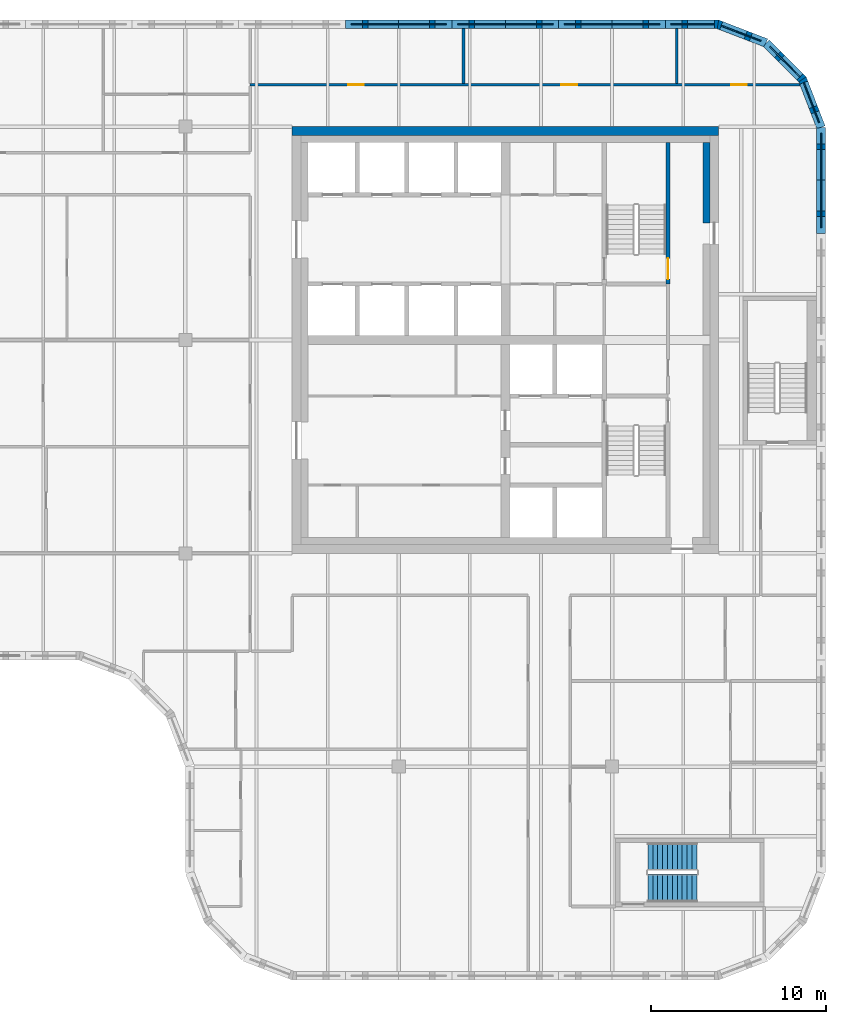
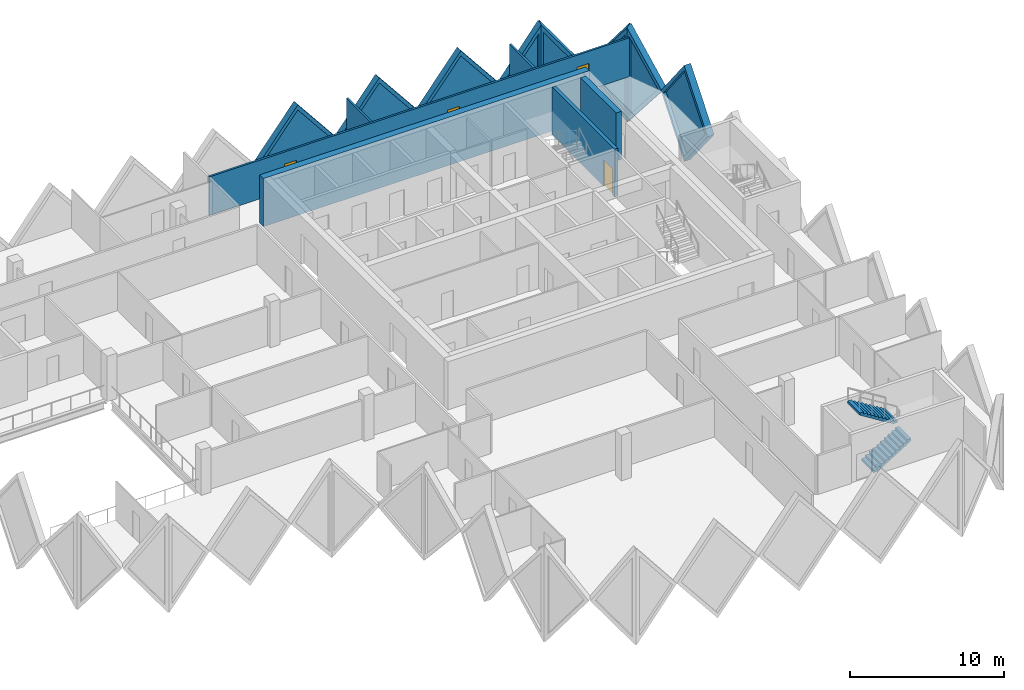
# One storey, part 10 of 12: 14 walls, 8 plates, 4 doors, 2 stair flights, 12 openings, 1 element without a shape of its own.
"""IFC4 building model written with IfcOpenShell, lengths in metres."""

from ifc_helpers import new_model, si_unit, direction, frame, frame_2d, origin, place, context, subcontext, project, spatial, polyline, rectangle, outline, extrude, faceted_brep, source, transform, mapped, material, layer, layer_set, type_object, element, fill, aggregate, save


model = new_model("IFC4")

# Units and contexts
model_context = context("Model", 3, precision=1e-05, world=origin(), true_north=direction((0.0, 1.0)))
body_context = subcontext(model_context, "Body", "Model", "MODEL_VIEW")
ifc_project = project(units=[si_unit("LENGTHUNIT", "METRE"), si_unit("AREAUNIT", "SQUARE_METRE"), si_unit("VOLUMEUNIT", "CUBIC_METRE"), si_unit("PLANEANGLEUNIT", "RADIAN"), si_unit("MASSUNIT", "GRAM", prefix="KILO")], contexts=[model_context])

# Site, building, storey
site_placement = place(None, origin())
site = spatial("IfcSite", under=ifc_project, at=site_placement, CompositionType="ELEMENT")
building_placement = place(site_placement, origin())
building = spatial("IfcBuilding", under=site, at=building_placement, Name="Tessera Gate Towers", CompositionType="ELEMENT")
storey_placement = place(building_placement, frame((0.0, 0.0, 213.10009765625)))
storey = spatial("IfcBuildingStorey", under=building, at=storey_placement, Name="L53", CompositionType="ELEMENT", Elevation=213.10009765625)

# Wall, opening, door
ifc_material_1 = material(Name="Concrete C40/50", Category="concrete")
ifc_layer_1 = layer(ifc_material_1, 0.25)
ifc_layer_set_1 = layer_set([ifc_layer_1], Name="CORE ENCLOSURE WALL 250")
wall_type_1 = type_object("IfcWallType", Name="CORE ENCLOSURE WALL 250", PredefinedType="SOLIDWALL", material=ifc_layer_set_1)
wall_1_placement = place(storey_placement, frame((52.0, 39.800048828125, 0.0), z_axis=(0.0, 0.0, 1.0), x_axis=(0.0, 1.0, 0.0)))
wall_1 = element("IfcWall", 1, at=wall_1_placement, inside=storey, type_object=wall_type_1, Name="L53 shaft and stair enclosure wall", PredefinedType="SOLIDWALL", context=body_context, shape_type="SweptSolid", body=[
    extrude(rectangle(XDim=8.099853515625, YDim=0.25, at=frame_2d((4.0498046875, 0.0))), origin(), (0.0, 0.0, 1.0), 3.7998046875),
])
shared_shape_1 = source(origin(), body_context, "Body", "SweptSolid", [
    extrude(rectangle(XDim=1.199951171875, YDim=2.10009765625, at=frame_2d((0.60009765625, 1.050048828125))), frame((0.0, 0.135009765625, 0.0), z_axis=(0.0, -1.0, 0.0), x_axis=(1.0, 0.0, 0.0)), (0.0, 0.0, 1.0), 0.27001953125),
])
opening_1_placement = place(wall_1_placement, frame((0.27490234375, 0.0, 0.0)))
opening_1 = element("IfcOpeningElement", 2, at=opening_1_placement, cuts=wall_1, Name="Opening SD-ST2-2", PredefinedType="OPENING", context=body_context, shape_type="MappedRepresentation", body=[
    mapped(shared_shape_1, transform((0.0, 0.0, 0.0), scale=1.0)),
])
ifc_material_2 = material(Name="Hollow steel fire door", Category="steel")
door_type_1 = type_object("IfcDoorType", Name="CORE DOOR SD 1200x2100", OperationType="NOTDEFINED", PredefinedType="DOOR", material=ifc_material_2)
shared_shape_2 = source(origin(), body_context, "Body", "SweptSolid", [
    extrude(rectangle(XDim=1.199951171875, YDim=2.10009765625, at=frame_2d((0.60009765625, 1.050048828125))), frame((0.0, 0.02490234375, 0.0), z_axis=(0.0, -1.0, 0.0), x_axis=(1.0, 0.0, 0.0)), (0.0, 0.0, 1.0), 0.050048828125),
])
door_1_placement = place(opening_1_placement, origin())
door_1 = element("IfcDoor", 3, at=door_1_placement, inside=storey, type_object=door_type_1, Name="Stair door", OperationType="SINGLE_SWING_LEFT", OverallHeight=2.10009765625, OverallWidth=1.199951171875, PredefinedType="DOOR", context=body_context, shape_type="MappedRepresentation", body=[
    mapped(shared_shape_2, transform((0.0, 0.0, 0.0), scale=1.0)),
])
fill(opening_1, door_1)

# Walls
ifc_material_3 = material(Name="Concrete C50/60", Category="concrete")
ifc_layer_2 = layer(ifc_material_3, 0.5)
ifc_layer_set_2 = layer_set([ifc_layer_2], Name="CORE SHEAR WALL 500 C50/60")
wall_type_2 = type_object("IfcWallType", Name="CORE SHEAR WALL 500 C50/60", PredefinedType="SHEAR", material=ifc_layer_set_2)
wall_2_placement = place(storey_placement, frame((30.5, 48.550048828125, 0.0), z_axis=(0.0, 0.0, 1.0), x_axis=(1.0, 0.0, 0.0)))
element("IfcWall", 4, at=wall_2_placement, inside=storey, type_object=wall_type_2, Name="Core wall N L53", PredefinedType="SHEAR", context=body_context, shape_type="SweptSolid", body=[
    extrude(rectangle(XDim=24.39990234375, YDim=0.5, at=frame_2d((12.199951171875, 0.0))), origin(), (0.0, 0.0, 1.0), 3.7998046875),
])
ifc_material_4 = material(Name="Concrete C50/60", Category="concrete")
ifc_layer_3 = layer(ifc_material_4, 0.39990234375)
ifc_layer_set_3 = layer_set([ifc_layer_3], Name="CORE WALL THICKENING 400")
wall_type_3 = type_object("IfcWallType", Name="CORE WALL THICKENING 400", PredefinedType="SOLIDWALL", material=ifc_layer_set_3)
wall_3_placement = place(storey_placement, frame((54.199951171875, 43.300048828125, 0.0), z_axis=(0.0, 0.0, 1.0), x_axis=(0.0, 1.0, 0.0)))
element("IfcWall", 5, at=wall_3_placement, inside=storey, type_object=wall_type_3, Name="Core wall thickening E L53", PredefinedType="SOLIDWALL", context=body_context, shape_type="SweptSolid", body=[
    extrude(rectangle(XDim=4.599853515625, YDim=0.39990234375, at=frame_2d((2.2998046875, 0.0))), origin(), (0.0, 0.0, 1.0), 3.7998046875),
])

# Wall, openings, doors
ifc_material_5 = material(Name="Gypsum board on steel studs, mineral wool", Category="steel")
ifc_layer_4 = layer(ifc_material_5, 0.14990234375)
ifc_layer_set_4 = layer_set([ifc_layer_4], Name="CORRIDOR WALL 150")
wall_type_4 = type_object("IfcWallType", Name="CORRIDOR WALL 150", PredefinedType="PARTITIONING", material=ifc_layer_set_4)
wall_4_placement = place(storey_placement, frame((28.10009765625, 51.199951171875, 0.0), z_axis=(0.0, 0.0, 1.0), x_axis=(1.0, 0.0, 0.0)))
wall_4 = element("IfcWall", 6, at=wall_4_placement, inside=storey, type_object=wall_type_4, Name="T1-L53-PW-053", PredefinedType="PARTITIONING", context=body_context, shape_type="SweptSolid", body=[
    extrude(rectangle(XDim=31.438232421875, YDim=0.14990234375, at=frame_2d((15.71923828125, 0.0))), origin(), (0.0, 0.0, 1.0), 3.06689453125),
])
shared_shape_3 = source(origin(), body_context, "Body", "SweptSolid", [
    extrude(rectangle(XDim=0.89990234375, YDim=2.10009765625, at=frame_2d((0.449951171875, 1.050048828125))), frame((0.0, 0.0849609375, 0.0), z_axis=(0.0, -1.0, 0.0), x_axis=(1.0, 0.0, 0.0)), (0.0, 0.0, 1.0), 0.169921875),
])
opening_2_placement = place(wall_4_placement, frame((27.5009765625, 0.0, 0.0)))
opening_2 = element("IfcOpeningElement", 7, at=opening_2_placement, cuts=wall_4, Name="Opening D890FD60-A19-03", PredefinedType="OPENING", context=body_context, shape_type="MappedRepresentation", body=[
    mapped(shared_shape_3, transform((0.0, 0.0, 0.0), scale=1.0)),
])
opening_3_placement = place(wall_4_placement, frame((5.60009765625, 0.0, 0.0)))
opening_3 = element("IfcOpeningElement", 8, at=opening_3_placement, cuts=wall_4, Name="Opening D890FD60-A19-09", PredefinedType="OPENING", context=body_context, shape_type="MappedRepresentation", body=[
    mapped(shared_shape_3, transform((0.0, 0.0, 0.0), scale=1.0)),
])
opening_4_placement = place(wall_4_placement, frame((17.800048828125, 0.0, 0.0)))
opening_4 = element("IfcOpeningElement", 9, at=opening_4_placement, cuts=wall_4, Name="Opening D890FD60-A19-10", PredefinedType="OPENING", context=body_context, shape_type="MappedRepresentation", body=[
    mapped(shared_shape_3, transform((0.0, 0.0, 0.0), scale=1.0)),
])
ifc_material_6 = material(Name="Timber door leaf in steel frame", Category="steel")
door_type_2 = type_object("IfcDoorType", Name="CORRIDOR DOOR 900 FD60", OperationType="NOTDEFINED", PredefinedType="DOOR", material=ifc_material_6)
shared_shape_4 = source(origin(), body_context, "Body", "SweptSolid", [
    extrude(rectangle(XDim=0.89990234375, YDim=2.10009765625, at=frame_2d((0.449951171875, 1.050048828125))), frame((0.0, 0.02490234375, 0.0), z_axis=(0.0, -1.0, 0.0), x_axis=(1.0, 0.0, 0.0)), (0.0, 0.0, 1.0), 0.050048828125),
])
door_2_placement = place(opening_2_placement, origin())
door_2 = element("IfcDoor", 10, at=door_2_placement, inside=storey, type_object=door_type_2, Name="T1-L53-PD-016", OperationType="SINGLE_SWING_LEFT", OverallHeight=2.10009765625, OverallWidth=0.89990234375, PredefinedType="DOOR", context=body_context, shape_type="MappedRepresentation", body=[
    mapped(shared_shape_4, transform((0.0, 0.0, 0.0), scale=1.0)),
])
fill(opening_2, door_2)
door_3_placement = place(opening_3_placement, origin())
door_3 = element("IfcDoor", 11, at=door_3_placement, inside=storey, type_object=door_type_2, Name="T1-L53-PD-024", OperationType="SINGLE_SWING_LEFT", OverallHeight=2.10009765625, OverallWidth=0.89990234375, PredefinedType="DOOR", context=body_context, shape_type="MappedRepresentation", body=[
    mapped(shared_shape_4, transform((0.0, 0.0, 0.0), scale=1.0)),
])
fill(opening_3, door_3)
door_4_placement = place(opening_4_placement, origin())
door_4 = element("IfcDoor", 12, at=door_4_placement, inside=storey, type_object=door_type_2, Name="T1-L53-PD-026", OperationType="SINGLE_SWING_LEFT", OverallHeight=2.10009765625, OverallWidth=0.89990234375, PredefinedType="DOOR", context=body_context, shape_type="MappedRepresentation", body=[
    mapped(shared_shape_4, transform((0.0, 0.0, 0.0), scale=1.0)),
])
fill(opening_4, door_4)

# Walls
ifc_material_7 = material(Name="Gypsum board on steel studs, mineral wool", Category="steel")
ifc_layer_5 = layer(ifc_material_7, 0.14990234375)
ifc_layer_set_5 = layer_set([ifc_layer_5], Name="TENANCY WALL 150")
wall_type_5 = type_object("IfcWallType", Name="TENANCY WALL 150", PredefinedType="PARTITIONING", material=ifc_layer_set_5)
for number, where, z_axis, x_axis, name in (
    (13, (40.300048828125, 51.27587890625, 0.0), (0.0, 0.0, 1.0), (0.0, 1.0, 0.0), "T1-L53-PW-055"),
    (14, (52.5, 51.27587890625, 0.0), (0.0, 0.0, 1.0), (0.0, 1.0, 0.0), "T1-L53-PW-056"),
):
    element("IfcWall", number, at=place(storey_placement, frame(where, z_axis=z_axis, x_axis=x_axis)), inside=storey, type_object=wall_type_5, Name=name, PredefinedType="PARTITIONING", context=body_context, shape_type="SweptSolid", body=[
        extrude(rectangle(XDim=3.1240234375, YDim=0.14990234375, at=frame_2d((1.56201171875, 0.0))), origin(), (0.0, 0.0, 1.0), 3.06689453125),
    ])

# Wall, opening, plate
ifc_material_8 = material(Name="Precast concrete C60/75 white", Category="concrete")
ifc_layer_6 = layer(ifc_material_8, 0.5)
ifc_layer_set_6 = layer_set([ifc_layer_6], Name="TS1 tessera")
wall_type_6 = type_object("IfcWallType", Name="TS1 tessera", PredefinedType="SOLIDWALL", material=ifc_layer_set_6)
shared_shape_5 = source(origin(), body_context, "Body", "Brep", [
    faceted_brep([(3.050048828125, -0.25, 0.0), (6.099853515625, -0.25, 3.7998046875), (6.099853515625, -0.25, 3.80029296875), (3.050048828125, -0.25, 7.599853515625), (0.0, -0.25, 3.800048828125), (0.0, 0.25, 3.800048828125), (3.050048828125, 0.25, 7.599853515625), (6.099853515625, 0.25, 3.80029296875), (6.099853515625, 0.25, 3.7998046875), (3.050048828125, 0.25, 0.0)], [[[0, 1, 2, 3, 4]], [[5, 6, 7, 8, 9]], [[9, 8, 1, 0]], [[7, 6, 3, 2]], [[6, 5, 4, 3]], [[5, 9, 0, 4]], [[1, 8, 7, 2]]]),
])
wall_5_placement = place(storey_placement, frame((39.64990234375, 54.64990234375, -3.800048828125), z_axis=(0.0, 0.0, 1.0), x_axis=(-1.0, 0.0, 0.0)))
wall_5 = element("IfcWall", 15, at=wall_5_placement, inside=storey, type_object=wall_type_6, Name="Precast tessera T1 TS1-0932", PredefinedType="SOLIDWALL", context=body_context, shape_type="MappedRepresentation", body=[
    mapped(shared_shape_5, transform((0.0, 0.0, 0.0), scale=1.0)),
])
shared_shape_6 = source(origin(), body_context, "Body", "SweptSolid", [
    extrude(outline(polyline([(3.050048828125, 0.3994140625), (5.779541015625, 3.800048828125), (3.050048828125, 7.200439453125), (0.320556640625, 3.800048828125), (3.050048828125, 0.3994140625)])), frame((0.0, 0.260009765625, 0.0), z_axis=(0.0, -1.0, 0.0), x_axis=(1.0, 0.0, 0.0)), (0.0, 0.0, 1.0), 0.52001953125),
])
opening_5_placement = place(wall_5_placement, origin())
opening_5 = element("IfcOpeningElement", 16, at=opening_5_placement, cuts=wall_5, Name="Opening T1-PL2-1902", PredefinedType="OPENING", context=body_context, shape_type="MappedRepresentation", body=[
    mapped(shared_shape_6, transform((0.0, 0.0, 0.0), scale=1.0)),
])
ifc_material_9 = material(Name="Low-e laminated glass", Category="glass")
ifc_layer_7 = layer(ifc_material_9, 0.06005859375)
ifc_layer_set_7 = layer_set([ifc_layer_7], Name="PL2 rhombic pane")
plate_type = type_object("IfcPlateType", Name="PL2 rhombic pane", PredefinedType="SHEET", material=ifc_layer_set_7)
shared_shape_7 = source(origin(), body_context, "Body", "SweptSolid", [
    extrude(outline(polyline([(3.050048828125, 0.3994140625), (5.779541015625, 3.800048828125), (3.050048828125, 7.200439453125), (0.320556640625, 3.800048828125), (3.050048828125, 0.3994140625)])), frame((0.0, 0.030029296875, 0.0), z_axis=(0.0, -1.0, 0.0), x_axis=(1.0, 0.0, 0.0)), (0.0, 0.0, 1.0), 0.06005859375),
])
plate_1_placement = place(opening_5_placement, origin())
plate_1 = element("IfcPlate", 17, at=plate_1_placement, inside=storey, type_object=plate_type, Name="Glass pane T1 PL2-1902", PredefinedType="SHEET", context=body_context, shape_type="MappedRepresentation", body=[
    mapped(shared_shape_7, transform((0.0, 0.0, 0.0), scale=1.0)),
])
fill(opening_5, plate_1)

shared_shape_8 = source(origin(), body_context, "Body", "SweptSolid", [
    extrude(outline(polyline([(3.050048828125, 0.0), (6.10009765625, 3.800048828125), (3.050048828125, 7.599853515625), (0.0, 3.800048828125), (3.050048828125, 0.0)])), frame((0.0, 0.25, 0.0), z_axis=(0.0, -1.0, 0.0), x_axis=(1.0, 0.0, 0.0)), (0.0, 0.0, 1.0), 0.5),
])
wall_6_placement = place(storey_placement, frame((51.85009765625, 54.64990234375, -3.800048828125), z_axis=(0.0, 0.0, 1.0), x_axis=(-1.0, 0.0, 0.0)))
wall_6 = element("IfcWall", 18, at=wall_6_placement, inside=storey, type_object=wall_type_6, Name="Precast tessera T1 TS1-0930", PredefinedType="SOLIDWALL", context=body_context, shape_type="MappedRepresentation", body=[
    mapped(shared_shape_8, transform((0.0, 0.0, 0.0), scale=1.0)),
])
opening_6_placement = place(wall_6_placement, origin())
opening_6 = element("IfcOpeningElement", 19, at=opening_6_placement, cuts=wall_6, Name="Opening T1-PL2-1900", PredefinedType="OPENING", context=body_context, shape_type="MappedRepresentation", body=[
    mapped(shared_shape_6, transform((0.0, 0.0, 0.0), scale=1.0)),
])
plate_2_placement = place(opening_6_placement, origin())
plate_2 = element("IfcPlate", 20, at=plate_2_placement, inside=storey, type_object=plate_type, Name="Glass pane T1 PL2-1900", PredefinedType="SHEET", context=body_context, shape_type="MappedRepresentation", body=[
    mapped(shared_shape_7, transform((0.0, 0.0, 0.0), scale=1.0)),
])
fill(opening_6, plate_2)

wall_7_placement = place(storey_placement, frame((45.75, 54.64990234375, -3.800048828125), z_axis=(0.0, 0.0, 1.0), x_axis=(-1.0, 0.0, 0.0)))
wall_7 = element("IfcWall", 21, at=wall_7_placement, inside=storey, type_object=wall_type_6, Name="Precast tessera T1 TS1-0931", PredefinedType="SOLIDWALL", context=body_context, shape_type="MappedRepresentation", body=[
    mapped(shared_shape_8, transform((0.0, 0.0, 0.0), scale=1.0)),
])
opening_7_placement = place(wall_7_placement, origin())
opening_7 = element("IfcOpeningElement", 22, at=opening_7_placement, cuts=wall_7, Name="Opening T1-PL2-1901", PredefinedType="OPENING", context=body_context, shape_type="MappedRepresentation", body=[
    mapped(shared_shape_6, transform((0.0, 0.0, 0.0), scale=1.0)),
])
plate_3_placement = place(opening_7_placement, origin())
plate_3 = element("IfcPlate", 23, at=plate_3_placement, inside=storey, type_object=plate_type, Name="Glass pane T1 PL2-1901", PredefinedType="SHEET", context=body_context, shape_type="MappedRepresentation", body=[
    mapped(shared_shape_7, transform((0.0, 0.0, 0.0), scale=1.0)),
])
fill(opening_7, plate_3)

shared_shape_9 = source(origin(), body_context, "Body", "Brep", [
    faceted_brep([(3.050048828125, -0.25, 0.0), (6.053466796875, -0.25, 3.800048828125), (3.050048828125, -0.25, 7.599853515625), (0.0, -0.25, 3.800048828125), (0.0, 0.25, 3.800048828125), (3.050048828125, 0.25, 7.599853515625), (6.0068359375, 0.25, 3.85888671875), (6.0068359375, 0.25, 3.7412109375), (3.050048828125, 0.25, 0.0), (6.053466796875, 0.0, 3.800048828125)], [[[0, 1, 2, 3]], [[4, 5, 6, 7, 8]], [[8, 7, 9, 1, 0]], [[6, 5, 2, 1, 9]], [[5, 4, 3, 2]], [[4, 8, 0, 3]], [[7, 6, 9]]]),
])
wall_8_placement = place(storey_placement, frame((60.75, 42.699951171875, -3.800048828125), z_axis=(0.0, 0.0, 1.0), x_axis=(0.0, 1.0, 0.0)))
wall_8 = element("IfcWall", 24, at=wall_8_placement, inside=storey, type_object=wall_type_6, Name="Precast tessera T1 TS1-0929", PredefinedType="SOLIDWALL", context=body_context, shape_type="MappedRepresentation", body=[
    mapped(shared_shape_9, transform((0.0, 0.0, 0.0), scale=1.0)),
])
shared_shape_10 = source(origin(), body_context, "Body", "SweptSolid", [
    extrude(outline(polyline([(3.048583984375, 0.401123046875), (5.73486328125, 3.800048828125), (3.048583984375, 7.19873046875), (0.320556640625, 3.800048828125), (3.048583984375, 0.401123046875)])), frame((0.0, 0.260009765625, 0.0), z_axis=(0.0, -1.0, 0.0), x_axis=(1.0, 0.0, 0.0)), (0.0, 0.0, 1.0), 0.52001953125),
])
opening_8_placement = place(wall_8_placement, origin())
opening_8 = element("IfcOpeningElement", 25, at=opening_8_placement, cuts=wall_8, Name="Opening T1-PL2-1895", PredefinedType="OPENING", context=body_context, shape_type="MappedRepresentation", body=[
    mapped(shared_shape_10, transform((0.0, 0.0, 0.0), scale=1.0)),
])
shared_shape_11 = source(origin(), body_context, "Body", "SweptSolid", [
    extrude(outline(polyline([(3.048583984375, 0.401123046875), (5.73486328125, 3.800048828125), (3.048583984375, 7.19873046875), (0.320556640625, 3.800048828125), (3.048583984375, 0.401123046875)])), frame((0.0, 0.030029296875, 0.0), z_axis=(0.0, -1.0, 0.0), x_axis=(1.0, 0.0, 0.0)), (0.0, 0.0, 1.0), 0.06005859375),
])
plate_4_placement = place(opening_8_placement, origin())
plate_4 = element("IfcPlate", 26, at=plate_4_placement, inside=storey, type_object=plate_type, Name="Glass pane T1 PL2-1895", PredefinedType="SHEET", context=body_context, shape_type="MappedRepresentation", body=[
    mapped(shared_shape_11, transform((0.0, 0.0, 0.0), scale=1.0)),
])
fill(opening_8, plate_4)

ifc_material_10 = material(Name="Precast concrete C60/75 white", Category="concrete")
ifc_layer_8 = layer(ifc_material_10, 0.5)
ifc_layer_set_8 = layer_set([ifc_layer_8], Name="TS3 corner tessera")
wall_type_7 = type_object("IfcWallType", Name="TS3 corner tessera", PredefinedType="SOLIDWALL", material=ifc_layer_set_8)
shared_shape_12 = source(origin(), body_context, "Body", "Brep", [
    faceted_brep([(2.950439453125, -0.25, 0.0), (2.9970703125, -0.25, 0.05908203125), (2.9970703125, -0.25, 7.540771484375), (2.950439453125, -0.25, 7.599853515625), (0.0, -0.25, 3.800048828125), (0.052978515625, 0.25, 3.8681640625), (2.904052734375, 0.25, 7.5400390625), (2.904052734375, 0.25, 0.059814453125), (0.052978515625, 0.25, 3.73193359375), (2.950439453125, 0.00048828125, 0.0), (2.950439453125, 0.00048828125, 7.599853515625), (0.0, 0.0, 3.800048828125)], [[[0, 1, 2, 3, 4]], [[5, 6, 7, 8]], [[1, 0, 9]], [[10, 3, 2]], [[6, 5, 11, 4, 3, 10]], [[8, 7, 9, 0, 4, 11]], [[8, 11, 5]], [[1, 9, 7, 6, 10, 2]]]),
])
wall_9_placement = place(storey_placement, frame((57.606201171875, 53.588134765625, -3.800048828125), z_axis=(0.0, 0.0, 1.0), x_axis=(-0.932990326376, 0.359901446078, 0.0)))
wall_9 = element("IfcWall", 27, at=wall_9_placement, inside=storey, type_object=wall_type_7, Name="Precast corner tessera T1 TS3-1233", PredefinedType="SOLIDWALL", context=body_context, shape_type="MappedRepresentation", body=[
    mapped(shared_shape_12, transform((0.0, 0.0, 0.0), scale=1.0)),
])
shared_shape_13 = source(origin(), body_context, "Body", "SweptSolid", [
    extrude(outline(polyline([(2.75048828125, 6.934814453125), (0.31640625, 3.800048828125), (2.75048828125, 0.665283203125), (2.75048828125, 6.934814453125)])), frame((0.0, 0.260009765625, 0.0), z_axis=(0.0, -1.0, 0.0), x_axis=(1.0, 0.0, 0.0)), (0.0, 0.0, 1.0), 0.52001953125),
])
opening_9_placement = place(wall_9_placement, origin())
opening_9 = element("IfcOpeningElement", 28, at=opening_9_placement, cuts=wall_9, Name="Opening T1-PL2-1898", PredefinedType="OPENING", context=body_context, shape_type="MappedRepresentation", body=[
    mapped(shared_shape_13, transform((0.0, 0.0, 0.0), scale=1.0)),
])
shared_shape_14 = source(origin(), body_context, "Body", "SweptSolid", [
    extrude(outline(polyline([(2.75048828125, 6.934814453125), (0.31640625, 3.800048828125), (2.75048828125, 0.665283203125), (2.75048828125, 6.934814453125)])), frame((0.0, 0.030029296875, 0.0), z_axis=(0.0, -1.0, 0.0), x_axis=(1.0, 0.0, 0.0)), (0.0, 0.0, 1.0), 0.06005859375),
])
plate_5_placement = place(opening_9_placement, origin())
plate_5 = element("IfcPlate", 29, at=plate_5_placement, inside=storey, type_object=plate_type, Name="Glass pane T1 PL2-1898", PredefinedType="SHEET", context=body_context, shape_type="MappedRepresentation", body=[
    mapped(shared_shape_14, transform((0.0, 0.0, 0.0), scale=1.0)),
])
fill(opening_9, plate_5)

shared_shape_15 = source(origin(), body_context, "Body", "Brep", [
    faceted_brep([(0.046630859375, -0.25, 0.0), (3.050048828125, -0.25, 3.800048828125), (0.046630859375, -0.25, 7.599853515625), (0.0, -0.25, 7.539794921875), (0.0, -0.25, 0.06005859375), (0.09326171875, 0.25, 7.541015625), (3.050048828125, 0.25, 3.800048828125), (0.09326171875, 0.25, 0.058837890625), (0.046630859375, 0.0, 0.0), (0.046630859375, 0.0, 7.599853515625)], [[[0, 1, 2, 3, 4]], [[5, 6, 7]], [[7, 6, 1, 0, 8]], [[6, 5, 9, 2, 1]], [[3, 2, 9]], [[8, 0, 4]], [[7, 8, 4, 3, 9, 5]]]),
])
wall_10_placement = place(storey_placement, frame((54.900146484375, 54.64990234375, -3.800048828125), z_axis=(0.0, 0.0, 1.0), x_axis=(-1.0, 0.0, 0.0)))
wall_10 = element("IfcWall", 30, at=wall_10_placement, inside=storey, type_object=wall_type_7, Name="Precast corner tessera T1 TS3-1234", PredefinedType="SOLIDWALL", context=body_context, shape_type="MappedRepresentation", body=[
    mapped(shared_shape_15, transform((0.0, 0.0, 0.0), scale=1.0)),
])
shared_shape_16 = source(origin(), body_context, "Body", "SweptSolid", [
    extrude(outline(polyline([(0.24658203125, 0.65625), (2.7314453125, 3.800048828125), (0.24658203125, 6.94384765625), (0.24658203125, 0.65625)])), frame((0.0, 0.260009765625, 0.0), z_axis=(0.0, -1.0, 0.0), x_axis=(1.0, 0.0, 0.0)), (0.0, 0.0, 1.0), 0.52001953125),
])
opening_10_placement = place(wall_10_placement, origin())
opening_10 = element("IfcOpeningElement", 31, at=opening_10_placement, cuts=wall_10, Name="Opening T1-PL2-1899", PredefinedType="OPENING", context=body_context, shape_type="MappedRepresentation", body=[
    mapped(shared_shape_16, transform((0.0, 0.0, 0.0), scale=1.0)),
])
shared_shape_17 = source(origin(), body_context, "Body", "SweptSolid", [
    extrude(outline(polyline([(0.24658203125, 0.65625), (2.7314453125, 3.800048828125), (0.24658203125, 6.94384765625), (0.24658203125, 0.65625)])), frame((0.0, 0.030029296875, 0.0), z_axis=(0.0, -1.0, 0.0), x_axis=(1.0, 0.0, 0.0)), (0.0, 0.0, 1.0), 0.06005859375),
])
plate_6_placement = place(opening_10_placement, origin())
plate_6 = element("IfcPlate", 32, at=plate_6_placement, inside=storey, type_object=plate_type, Name="Glass pane T1 PL2-1899", PredefinedType="SHEET", context=body_context, shape_type="MappedRepresentation", body=[
    mapped(shared_shape_17, transform((0.0, 0.0, 0.0), scale=1.0)),
])
fill(opening_10, plate_6)

shared_shape_18 = source(origin(), body_context, "Body", "Brep", [
    faceted_brep([(2.950439453125, -0.25, 0.0), (3.00341796875, -0.25, 0.068359375), (3.00341796875, -0.25, 7.531494140625), (2.950439453125, -0.25, 7.599853515625), (0.0, -0.25, 3.800048828125), (0.046630859375, 0.25, 3.860107421875), (2.897705078125, 0.25, 7.53173828125), (2.897705078125, 0.25, 0.068115234375), (0.046630859375, 0.25, 3.739990234375), (2.950439453125, 0.00048828125, 0.0), (2.950439453125, 0.00048828125, 7.599853515625), (0.0, 0.0, 3.800048828125)], [[[0, 1, 2, 3, 4]], [[5, 6, 7, 8]], [[1, 0, 9]], [[10, 3, 2]], [[6, 5, 11, 4, 3, 10]], [[8, 7, 9, 0, 4, 11]], [[8, 11, 5]], [[1, 9, 7, 6, 10, 2]]]),
])
wall_11_placement = place(storey_placement, frame((60.75, 48.75341796875, -3.800048828125), z_axis=(0.0, 0.0, 1.0), x_axis=(-0.35992665181, 0.932980602862, 0.0)))
wall_11 = element("IfcWall", 33, at=wall_11_placement, inside=storey, type_object=wall_type_7, Name="Precast corner tessera T1 TS3-1231", PredefinedType="SOLIDWALL", context=body_context, shape_type="MappedRepresentation", body=[
    mapped(shared_shape_18, transform((0.0, 0.0, 0.0), scale=1.0)),
])
opening_11_placement = place(wall_11_placement, origin())
opening_11 = element("IfcOpeningElement", 34, at=opening_11_placement, cuts=wall_11, Name="Opening T1-PL2-1896", PredefinedType="OPENING", context=body_context, shape_type="MappedRepresentation", body=[
    mapped(shared_shape_13, transform((0.0, 0.0, 0.0), scale=1.0)),
])
plate_7_placement = place(opening_11_placement, origin())
plate_7 = element("IfcPlate", 35, at=plate_7_placement, inside=storey, type_object=plate_type, Name="Glass pane T1 PL2-1896", PredefinedType="SHEET", context=body_context, shape_type="MappedRepresentation", body=[
    mapped(shared_shape_14, transform((0.0, 0.0, 0.0), scale=1.0)),
])
fill(opening_11, plate_7)

shared_shape_19 = source(origin(), body_context, "Body", "Brep", [
    faceted_brep([(0.052978515625, -0.25, 0.0), (2.9970703125, -0.25, 3.800048828125), (0.052978515625, -0.25, 7.599853515625), (0.0, -0.25, 7.53173828125), (0.0, -0.25, 0.068115234375), (0.10595703125, 0.25, 7.531494140625), (2.944091796875, 0.25, 3.8681640625), (2.944091796875, 0.25, 3.73193359375), (0.10595703125, 0.25, 0.068359375), (2.9970703125, 0.000244140625, 3.800048828125), (0.052978515625, 0.0, 0.0), (0.052978515625, 0.0, 7.599853515625)], [[[0, 1, 2, 3, 4]], [[5, 6, 7, 8]], [[8, 7, 9, 1, 0, 10]], [[6, 5, 11, 2, 1, 9]], [[3, 2, 11]], [[10, 0, 4]], [[8, 10, 4, 3, 11, 5]], [[7, 6, 9]]]),
])
wall_12_placement = place(storey_placement, frame((59.7255859375, 51.46875, -3.800048828125), z_axis=(0.0, 0.0, 1.0), x_axis=(-0.707106781187, 0.707106781187, 0.0)))
wall_12 = element("IfcWall", 36, at=wall_12_placement, inside=storey, type_object=wall_type_7, Name="Precast corner tessera T1 TS3-1232", PredefinedType="SOLIDWALL", context=body_context, shape_type="MappedRepresentation", body=[
    mapped(shared_shape_19, transform((0.0, 0.0, 0.0), scale=1.0)),
])
shared_shape_20 = source(origin(), body_context, "Body", "SweptSolid", [
    extrude(outline(polyline([(0.2529296875, 0.666259765625), (2.680908203125, 3.800048828125), (0.2529296875, 6.93359375), (0.2529296875, 0.666259765625)])), frame((0.0, 0.260009765625, 0.0), z_axis=(0.0, -1.0, 0.0), x_axis=(1.0, 0.0, 0.0)), (0.0, 0.0, 1.0), 0.52001953125),
])
opening_12_placement = place(wall_12_placement, origin())
opening_12 = element("IfcOpeningElement", 37, at=opening_12_placement, cuts=wall_12, Name="Opening T1-PL2-1897", PredefinedType="OPENING", context=body_context, shape_type="MappedRepresentation", body=[
    mapped(shared_shape_20, transform((0.0, 0.0, 0.0), scale=1.0)),
])
shared_shape_21 = source(origin(), body_context, "Body", "SweptSolid", [
    extrude(outline(polyline([(0.2529296875, 0.666259765625), (2.680908203125, 3.800048828125), (0.2529296875, 6.93359375), (0.2529296875, 0.666259765625)])), frame((0.0, 0.030029296875, 0.0), z_axis=(0.0, -1.0, 0.0), x_axis=(1.0, 0.0, 0.0)), (0.0, 0.0, 1.0), 0.06005859375),
])
plate_8_placement = place(opening_12_placement, origin())
plate_8 = element("IfcPlate", 38, at=plate_8_placement, inside=storey, type_object=plate_type, Name="Glass pane T1 PL2-1897", PredefinedType="SHEET", context=body_context, shape_type="MappedRepresentation", body=[
    mapped(shared_shape_21, transform((0.0, 0.0, 0.0), scale=1.0)),
])
fill(opening_12, plate_8)

# Stair, stair flights
ifc_material_11 = material(Name="Concrete C40/50", Category="concrete")
stair_type = type_object("IfcStairType", Name="EXIT STAIR ST4 1600", PredefinedType="HALF_TURN_STAIR", material=ifc_material_11)
stair_placement = place(storey_placement, origin())
stair = element("IfcStair", 39, at=stair_placement, inside=storey, type_object=stair_type, Name="L53 South Exit Stair ST4", PredefinedType="HALF_TURN_STAIR")
ifc_material_12 = material(Name="Concrete C40/50", Category="concrete")
stair_flight_type = type_object("IfcStairFlightType", Name="EXIT STAIR FLIGHT ST4 1600", PredefinedType="STRAIGHT", material=ifc_material_12)
stair_flight_1_placement = place(storey_placement, frame((50.85009765625, 5.25, 0.0), z_axis=(0.0, 0.0, 1.0), x_axis=(1.0, 0.0, 0.0)))
stair_flight_1 = element("IfcStairFlight", 40, at=stair_flight_1_placement, type_object=stair_flight_type, Name="ST4 flight 1", NumberOfRisers=11, NumberOfTreads=10, PredefinedType="STRAIGHT", RiserHeight=0.172727273, TreadLength=0.28, context=body_context, shape_type="SweptSolid", body=[
    extrude(outline(polyline([(0.0, 0.0), (0.0, 0.172607421875), (0.280029296875, 0.172607421875), (0.280029296875, 0.345458984375), (0.56005859375, 0.345458984375), (0.56005859375, 0.51806640625), (0.840087890625, 0.51806640625), (0.840087890625, 0.69091796875), (1.1201171875, 0.69091796875), (1.1201171875, 0.863525390625), (1.39990234375, 0.863525390625), (1.39990234375, 1.036376953125), (1.679931640625, 1.036376953125), (1.679931640625, 1.208984375), (1.9599609375, 1.208984375), (1.9599609375, 1.3818359375), (2.239990234375, 1.3818359375), (2.239990234375, 1.554443359375), (2.52001953125, 1.554443359375), (2.52001953125, 1.727294921875), (2.800048828125, 1.727294921875), (2.800048828125, 1.89990234375), (2.800048828125, 1.551025390625), (0.285400390625, 0.0), (0.0, 0.0)])), frame((0.0, 0.800048828125, 0.0), z_axis=(0.0, -1.0, 0.0), x_axis=(1.0, 0.0, 0.0)), (0.0, 0.0, 1.0), 1.60009765625),
])
stair_flight_2_placement = place(storey_placement, frame((53.64990234375, 7.050048828125, 1.89990234375), z_axis=(0.0, 0.0, 1.0), x_axis=(-1.0, 0.0, 0.0)))
stair_flight_2 = element("IfcStairFlight", 41, at=stair_flight_2_placement, type_object=stair_flight_type, Name="ST4 flight 2", NumberOfRisers=11, NumberOfTreads=10, PredefinedType="STRAIGHT", RiserHeight=0.172727273, TreadLength=0.28, context=body_context, shape_type="SweptSolid", body=[
    extrude(outline(polyline([(0.0, 0.0), (0.0, 0.172607421875), (0.280029296875, 0.172607421875), (0.280029296875, 0.345458984375), (0.56005859375, 0.345458984375), (0.56005859375, 0.51806640625), (0.840087890625, 0.51806640625), (0.840087890625, 0.69091796875), (1.1201171875, 0.69091796875), (1.1201171875, 0.863525390625), (1.39990234375, 0.863525390625), (1.39990234375, 1.036376953125), (1.679931640625, 1.036376953125), (1.679931640625, 1.208984375), (1.9599609375, 1.208984375), (1.9599609375, 1.3818359375), (2.239990234375, 1.3818359375), (2.239990234375, 1.554443359375), (2.52001953125, 1.554443359375), (2.52001953125, 1.727294921875), (2.800048828125, 1.727294921875), (2.800048828125, 1.89990234375), (2.800048828125, 1.551025390625), (0.285400390625, 0.0), (0.0, 0.0)])), frame((0.0, 0.800048828125, 0.0), z_axis=(0.0, -1.0, 0.0), x_axis=(1.0, 0.0, 0.0)), (0.0, 0.0, 1.0), 1.60009765625),
])
aggregate(stair, [stair_flight_1, stair_flight_2])

save(model, "model.ifc")
